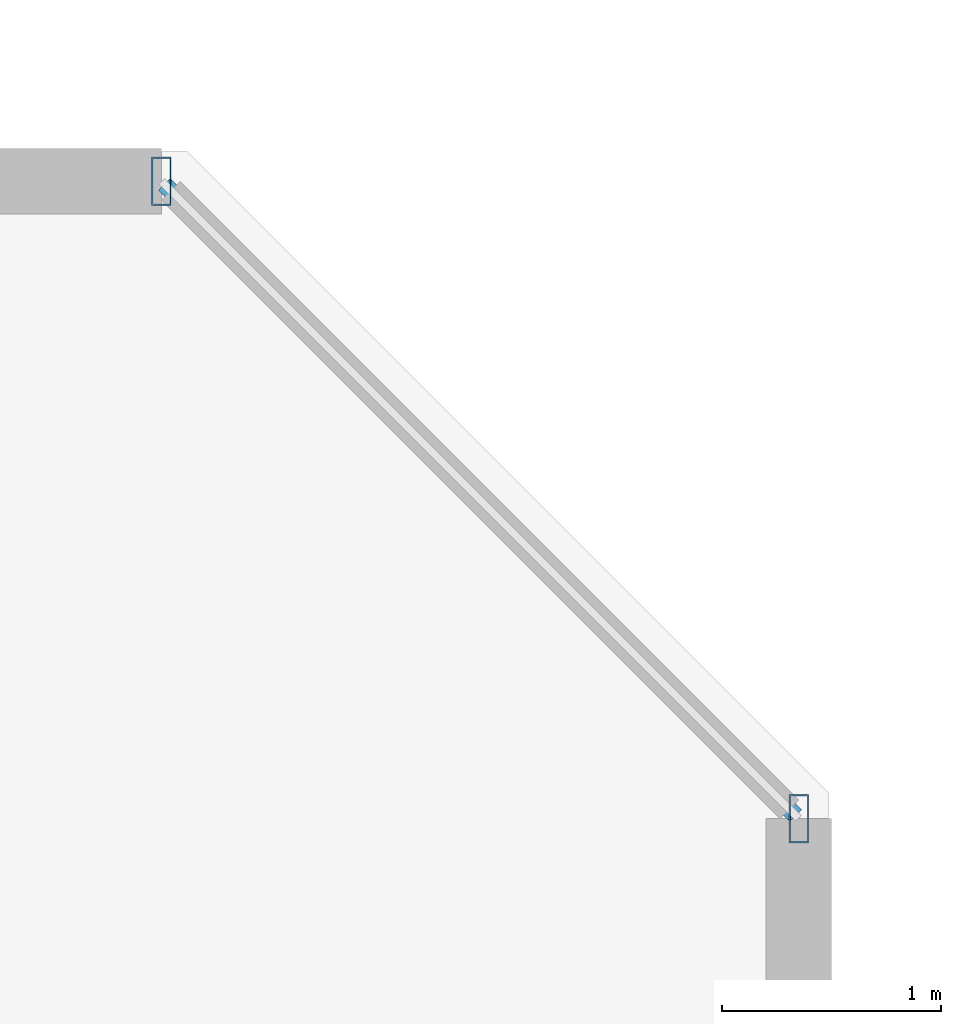
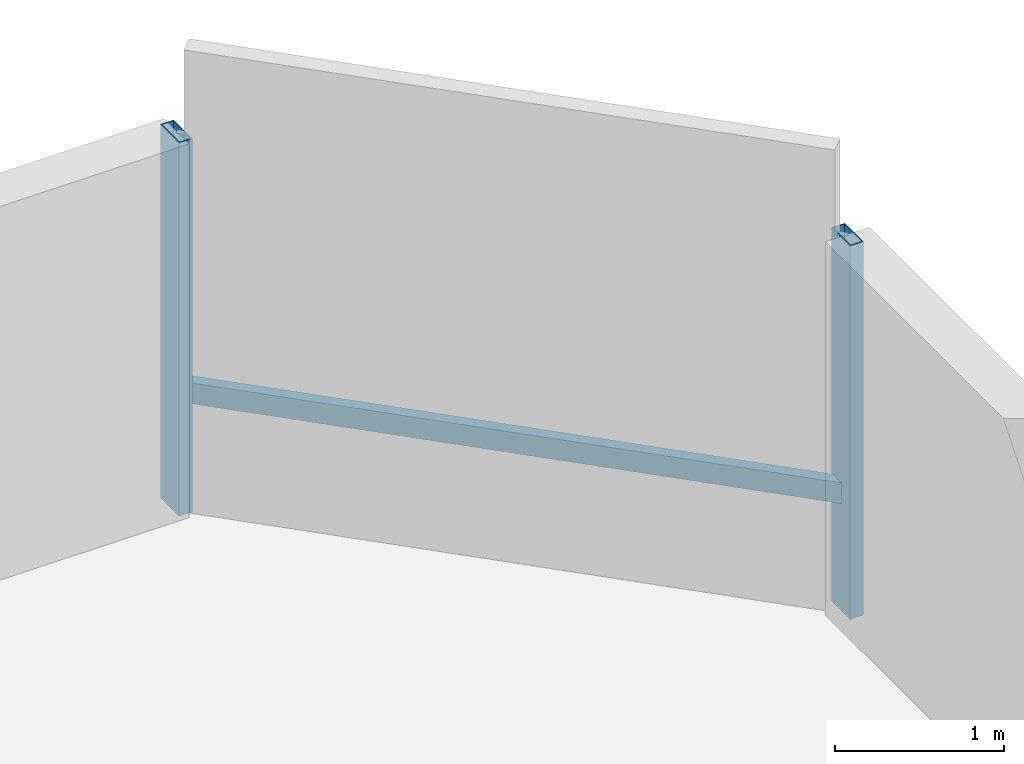
# One storey, part 10 of 35: 3 members, 1 element without a shape of its own.
"""IFC4 building model written with IfcOpenShell, lengths in metres."""

from ifc_helpers import new_model, si_unit, direction, frame, origin, origin_2d, place, context, subcontext, project, spatial, hollow_rectangle, extrude, material, material_profile, profile_set, type_object, element, aggregate, save


model = new_model("IFC4")

# Units and contexts
model_context = context("Model", 3, precision=1e-05, world=origin(), true_north=direction((0.0, 1.0)))
body_context = subcontext(model_context, "Body", "Model", "MODEL_VIEW")
ifc_project = project(units=[si_unit("LENGTHUNIT", "METRE"), si_unit("AREAUNIT", "SQUARE_METRE"), si_unit("VOLUMEUNIT", "CUBIC_METRE"), si_unit("PLANEANGLEUNIT", "RADIAN"), si_unit("MASSUNIT", "GRAM", prefix="KILO")], contexts=[model_context])

# Site, building, storey
site_placement = place(None, origin())
site = spatial("IfcSite", under=ifc_project, at=site_placement, CompositionType="ELEMENT")
building_placement = place(site_placement, origin())
building = spatial("IfcBuilding", under=site, at=building_placement, Name="Thornwick Lancets Civic Towers", CompositionType="ELEMENT")
storey_placement = place(building_placement, frame((0.0, 0.0, 64.5)))
storey = spatial("IfcBuildingStorey", under=building, at=storey_placement, Name="L16", CompositionType="ELEMENT", Elevation=64.5)

# Curtain wall, members
ifc_material_1 = material(Name="Low-zone chamfered-corner unitised glass curtain wall", Category="glass")
curtain_wall_type = type_object("IfcCurtainWallType", Name="CW_SYS_03", PredefinedType="NOTDEFINED", material=ifc_material_1)
curtain_wall_placement = place(storey_placement, origin())
curtain_wall = element("IfcCurtainWall", 1, at=curtain_wall_placement, inside=storey, type_object=curtain_wall_type, Name="L16 Curtain Wall CW-L16-A-E3", PredefinedType="NOTDEFINED")
ifc_material_2 = material(Name="Thermally broken bronze aluminium S355", Category="steel")
ifc_material_profile_1 = material_profile(ifc_material_2, hollow_rectangle(XDim=0.090087890625, YDim=0.219970703125, WallThickness=0.00634765625, at=origin_2d()), Name="RHS 220x90x6.3")
ifc_profile_set_1 = profile_set([ifc_material_profile_1], Name="Thermally broken bronze aluminium S355")
member_type_1 = type_object("IfcMemberType", Name="CW_MUL_220", PredefinedType="MULLION", material=ifc_profile_set_1)
member_1_placement = place(storey_placement, frame((49.763671875, 42.35546875, 0.0), z_axis=(0.0, 0.0, 1.0), x_axis=(1.0, 0.0, 0.0)))
member_1 = element("IfcMember", 2, at=member_1_placement, type_object=member_type_1, Name="CW-L16-A-E3 Mullion 0", PredefinedType="MULLION", context=body_context, shape_type="SweptSolid", body=[
    extrude(hollow_rectangle(XDim=0.090087890625, YDim=0.219970703125, WallThickness=0.00634765625, at=origin_2d()), origin(), (0.0, 0.0, 1.0), 2.699951171875),
])
member_2_placement = place(storey_placement, frame((46.85546875, 45.263671875, 0.0), z_axis=(0.0, 0.0, 1.0), x_axis=(1.0, 0.0, 0.0)))
member_2 = element("IfcMember", 3, at=member_2_placement, type_object=member_type_1, Name="CW-L16-A-E3 Mullion 1", PredefinedType="MULLION", context=body_context, shape_type="SweptSolid", body=[
    extrude(hollow_rectangle(XDim=0.090087890625, YDim=0.219970703125, WallThickness=0.00634765625, at=origin_2d()), origin(), (0.0, 0.0, 1.0), 2.699951171875),
])
ifc_material_profile_2 = material_profile(ifc_material_2, hollow_rectangle(XDim=0.074951171875, YDim=0.14990234375, WallThickness=0.0048828125, at=origin_2d()), Name="RHS 150x75x5")
ifc_profile_set_2 = profile_set([ifc_material_profile_2], Name="Thermally broken bronze aluminium S355")
member_type_2 = type_object("IfcMemberType", Name="CW_TRN_150", PredefinedType="USERDEFINED", material=ifc_profile_set_2)
member_3_placement = place(storey_placement, frame((49.74951171875, 42.369384765625, 0.85009765625), z_axis=(-0.707106781187, 0.707106781187, 0.0), x_axis=(-0.707106781187, -0.707106781187, 0.0)))
member_3 = element("IfcMember", 4, at=member_3_placement, type_object=member_type_2, Name="CW-L16-A-E3 Transom 0", ObjectType="TRANSOM", PredefinedType="USERDEFINED", context=body_context, shape_type="SweptSolid", body=[
    extrude(hollow_rectangle(XDim=0.074951171875, YDim=0.14990234375, WallThickness=0.0048828125, at=origin_2d()), origin(), (0.0, 0.0, 1.0), 4.072998046875),
])
aggregate(curtain_wall, [member_1, member_2, member_3])

save(model, "model.ifc")
